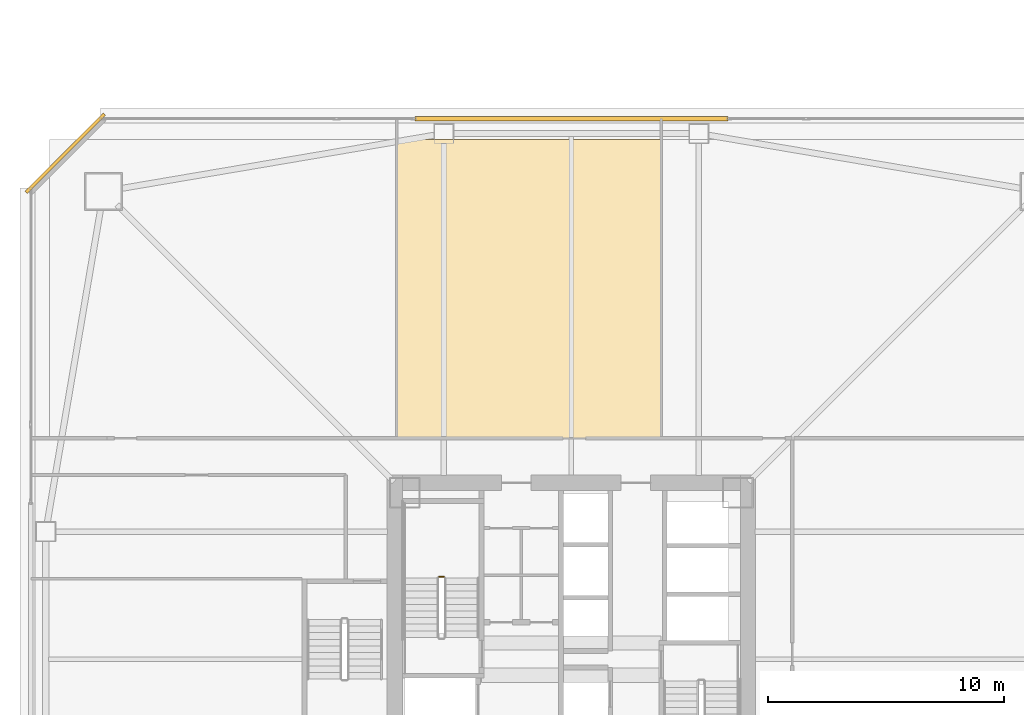
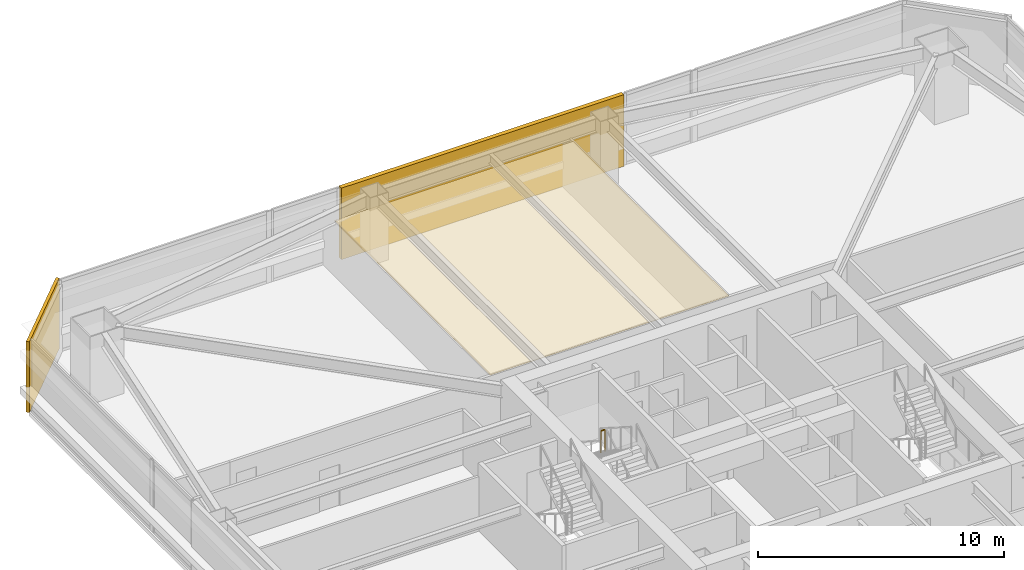
# One storey, part 42 of 46: 3 coverings, 1 railing.
"""IFC4 building model written with IfcOpenShell, lengths in metres."""

from ifc_helpers import new_model, si_unit, direction, frame, origin, origin_2d, place, context, subcontext, project, spatial, polyline, rectangle, outline, extrude, material, layer, layer_set, type_object, element, save


model = new_model("IFC4")

# Units and contexts
model_context = context("Model", 3, precision=1e-05, world=origin(), true_north=direction((0.0, 1.0)))
body_context = subcontext(model_context, "Body", "Model", "MODEL_VIEW")
ifc_project = project(units=[si_unit("LENGTHUNIT", "METRE"), si_unit("AREAUNIT", "SQUARE_METRE"), si_unit("VOLUMEUNIT", "CUBIC_METRE"), si_unit("PLANEANGLEUNIT", "RADIAN"), si_unit("MASSUNIT", "GRAM", prefix="KILO")], contexts=[model_context])

# Site, building, storey
site_placement = place(None, origin())
site = spatial("IfcSite", under=ifc_project, at=site_placement, CompositionType="ELEMENT")
building_placement = place(site_placement, origin())
building = spatial("IfcBuilding", under=site, at=building_placement, Name="Tashvorn Skyway Center", CompositionType="ELEMENT")
storey_placement = place(building_placement, frame((0.0, 0.0, 31.699951171875)))
storey = spatial("IfcBuildingStorey", under=building, at=storey_placement, Name="L07", CompositionType="ELEMENT", Elevation=31.699951171875)

# Coverings
ifc_material_1 = material(Name="Precast concrete C40/50", Category="concrete")
ifc_layer_1 = layer(ifc_material_1, 0.199951171875)
ifc_layer_set_1 = layer_set([ifc_layer_1], Name="Precast concrete C40/50")
covering_type_1 = type_object("IfcCoveringType", Name="COV-BRACE-CLAD", PredefinedType="CLADDING", material=ifc_layer_set_1)
covering_1_placement = place(storey_placement, frame((42.0, 54.8798828125, 0.0), z_axis=(0.0, 0.0, 1.0), x_axis=(1.0, 0.0, 0.0)))
element("IfcCovering", 1, at=covering_1_placement, inside=storey, type_object=covering_type_1, Name="Tower 1 L07 North Unitised Curtain Wall Mega-Brace Cladding Band 1", PredefinedType="CLADDING", context=body_context, shape_type="SweptSolid", body=[
    extrude(rectangle(XDim=13.25341796875, YDim=0.199951171875, at=origin_2d()), origin(), (0.0, 0.0, 1.0), 3.550048828125),
])
ifc_material_2 = material(Name="Mineral-fibre acoustic ceiling tile on suspended grid")
ifc_layer_2 = layer(ifc_material_2, 0.02001953125)
ifc_layer_set_2 = layer_set([ifc_layer_2], Name="Mineral-fibre acoustic ceiling tile on suspended grid")
covering_type_2 = type_object("IfcCoveringType", Name="COV-CEIL-20", PredefinedType="CEILING", material=ifc_layer_set_2)
covering_2_placement = place(storey_placement, frame((0.0, 0.0, 2.68310546875)))
element("IfcCovering", 2, at=covering_2_placement, inside=storey, type_object=covering_type_2, Name="Tower 1 L07 Open Plan Office Acoustic Ceiling", PredefinedType="CEILING", context=body_context, shape_type="SweptSolid", body=[
    extrude(outline(polyline([(34.60009765625, 41.35009765625), (45.800048828125, 41.35009765625), (45.800048828125, 54.0), (34.60009765625, 54.0), (34.60009765625, 41.35009765625)])), origin(), (0.0, 0.0, 1.0), 0.02001953125),
])
ifc_layer_3 = layer(ifc_material_1, 0.35009765625)
ifc_layer_set_3 = layer_set([ifc_layer_3], Name="Precast concrete C40/50")
covering_type_3 = type_object("IfcCoveringType", Name="COV-STONE-TRIM", PredefinedType="CLADDING", material=ifc_layer_set_3)
covering_3_placement = place(storey_placement, frame((20.580078125, 53.419921875, 0.02001953125), z_axis=(0.0, 0.0, 1.0), x_axis=(-0.707106781187, -0.707106781187, 0.0)))
element("IfcCovering", 3, at=covering_3_placement, inside=storey, type_object=covering_type_3, Name="Tower 1 L07 NW Mojave Limestone Corner Quoin", PredefinedType="CLADDING", context=body_context, shape_type="SweptSolid", body=[
    extrude(rectangle(XDim=4.685546875, YDim=0.139892578125, at=origin_2d()), origin(), (0.0, 0.0, 1.0), 3.510009765625),
])

# Railing
ifc_material_3 = material(Name="Painted galvanized steel S355", Category="steel")
railing_type = type_object("IfcRailingType", Name="RAIL-STGUARD-1100", PredefinedType="GUARDRAIL", material=ifc_material_3)
railing_placement = place(storey_placement, frame((36.60009765625, 35.489990234375, 1.775146484375)))
element("IfcRailing", 4, at=railing_placement, inside=storey, type_object=railing_type, Name="L07 ST-T1-1 stair guard 2", PredefinedType="GUARDRAIL", context=body_context, shape_type="SweptSolid", body=[
    extrude(rectangle(XDim=0.048095703125, YDim=0.048095703125, at=origin_2d()), frame((0.0, 0.0, 1.076171875), z_axis=(-1.0, 0.0, 0.0), x_axis=(0.0, -1.0, 0.0)), (0.0, 0.0, 1.0), 0.2001953125),
    extrude(rectangle(XDim=0.0419921875, YDim=0.0419921875, at=origin_2d()), origin(), (0.0, 0.0, 1.0), 1.052001953125),
    extrude(rectangle(XDim=0.0419921875, YDim=0.0419921875, at=origin_2d()), frame((-0.2001953125, 0.0, 0.0)), (0.0, 0.0, 1.0), 1.052001953125),
])

save(model, "model.ifc")
